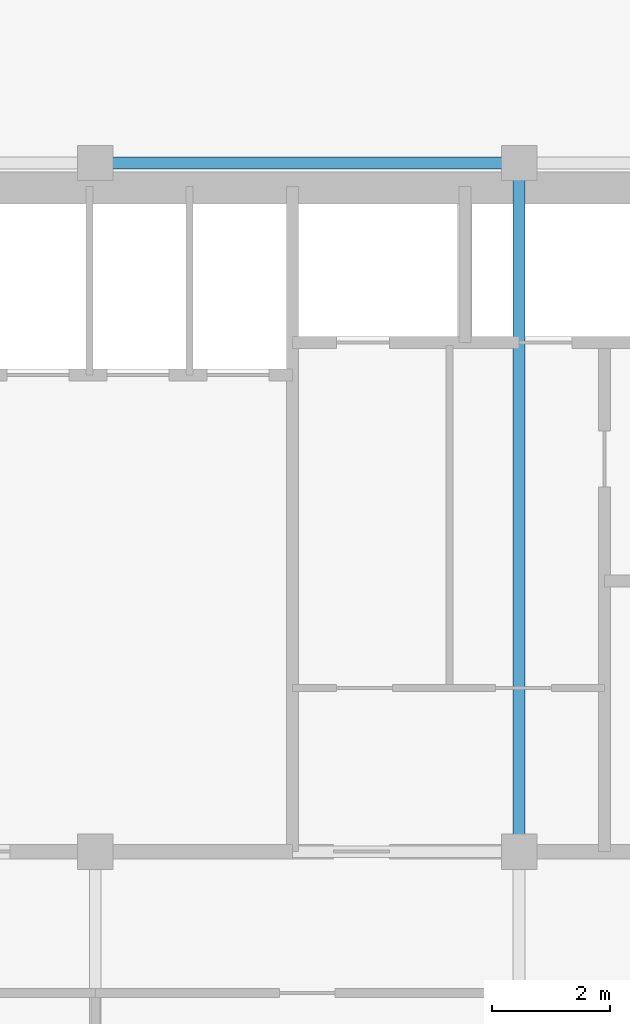
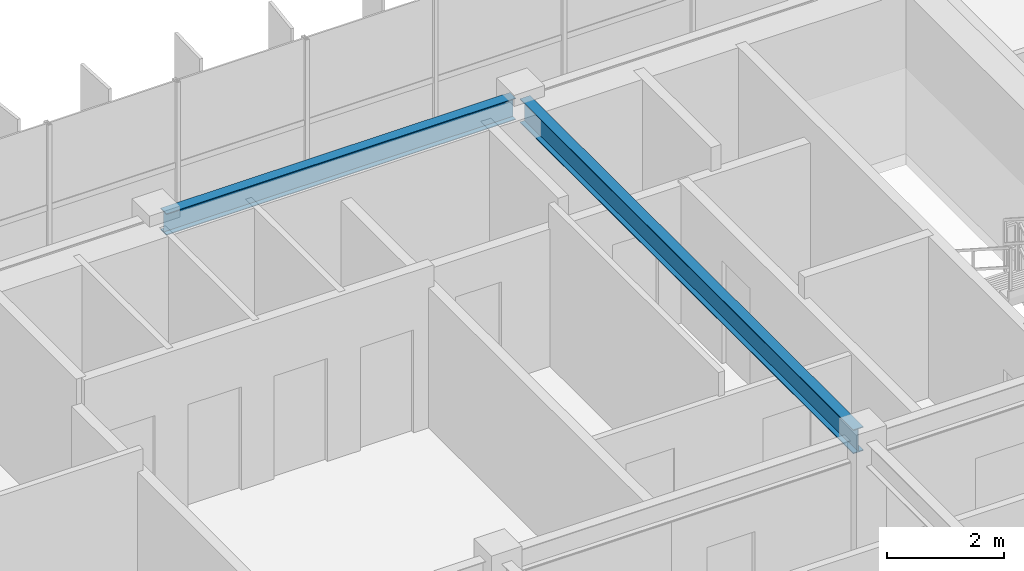
# One storey, part 10 of 22: 2 beams.
"""IFC4 building model written with IfcOpenShell, lengths in metres."""

from ifc_helpers import new_model, si_unit, direction, frame, origin, origin_2d, place, context, subcontext, project, spatial, i_section, extrude, source, transform, mapped, material, material_profile, profile_set, type_object, element, save


model = new_model("IFC4")

# Units and contexts
model_context = context("Model", 3, precision=1e-05, world=origin(), true_north=direction((0.0, 1.0)))
body_context = subcontext(model_context, "Body", "Model", "MODEL_VIEW")
ifc_project = project(units=[si_unit("LENGTHUNIT", "METRE"), si_unit("AREAUNIT", "SQUARE_METRE"), si_unit("VOLUMEUNIT", "CUBIC_METRE"), si_unit("PLANEANGLEUNIT", "RADIAN"), si_unit("MASSUNIT", "GRAM", prefix="KILO")], contexts=[model_context])

# Site, building, storey
site_placement = place(None, origin())
site = spatial("IfcSite", under=ifc_project, at=site_placement, CompositionType="ELEMENT")
building_placement = place(site_placement, origin())
building = spatial("IfcBuilding", under=site, at=building_placement, Name="Trelvane Seafront Commons", CompositionType="ELEMENT")
storey_placement = place(building_placement, frame((0.0, 0.0, 270.300048828125)))
storey = spatial("IfcBuildingStorey", under=building, at=storey_placement, Name="L70", CompositionType="ELEMENT", Elevation=270.300048828125)

# Beams
ifc_material = material(Name="Steel SM355 (S355)", Category="steel")
ifc_material_profile_1 = material_profile(ifc_material, i_section(OverallWidth=0.199951171875, OverallDepth=0.5, WebThickness=0.010009765625, FlangeThickness=0.01611328125, at=origin_2d()), Name="H-500x200x10x16")
ifc_profile_set_1 = profile_set([ifc_material_profile_1], Name="Steel SM355 (S355)")
beam_type_1 = type_object("IfcBeamType", Name="STR-BM-H500", PredefinedType="BEAM", material=ifc_profile_set_1)
shared_shape_1 = source(origin(), body_context, "Body", "SweptSolid", [
    extrude(i_section(OverallWidth=0.199951171875, OverallDepth=0.5, WebThickness=0.010009765625, FlangeThickness=0.01611328125, at=origin_2d()), origin(), (0.0, 0.0, 1.0), 11.39990234375),
])
beam_1_placement = place(storey_placement, frame((51.0, 33.550048828125, 3.119873046875), z_axis=(0.0, 1.0, 0.0), x_axis=(-1.0, 0.0, 0.0)))
element("IfcBeam", 1, at=beam_1_placement, inside=storey, type_object=beam_type_1, Name="L70 Primary Girder G-46", PredefinedType="BEAM", context=body_context, shape_type="MappedRepresentation", body=[
    mapped(shared_shape_1, transform((0.0, 0.0, 0.0), x_axis=(1.0, 0.0, 0.0), y_axis=(0.0, 1.0, 0.0), z_axis=(0.0, 0.0, 1.0), scale=1.0)),
])
ifc_material_profile_2 = material_profile(ifc_material, i_section(OverallWidth=0.199951171875, OverallDepth=0.449951171875, WebThickness=0.009033203125, FlangeThickness=0.013916015625, at=origin_2d()), Name="H-450x200x9x14")
ifc_profile_set_2 = profile_set([ifc_material_profile_2], Name="Steel SM355 (S355)")
beam_type_2 = type_object("IfcBeamType", Name="STR-SPD-H450", PredefinedType="SPANDREL", material=ifc_profile_set_2)
shared_shape_2 = source(origin(), body_context, "Body", "SweptSolid", [
    extrude(i_section(OverallWidth=0.199951171875, OverallDepth=0.449951171875, WebThickness=0.009033203125, FlangeThickness=0.013916015625, at=origin_2d()), origin(), (0.0, 0.0, 1.0), 6.900146484375),
])
beam_2_placement = place(storey_placement, frame((43.949951171875, 45.10009765625, 3.14501953125), z_axis=(1.0, 0.0, 0.0), x_axis=(0.0, 1.0, 0.0)))
element("IfcBeam", 2, at=beam_2_placement, inside=storey, type_object=beam_type_2, Name="L70 Primary Girder G-26", PredefinedType="SPANDREL", context=body_context, shape_type="MappedRepresentation", body=[
    mapped(shared_shape_2, transform((0.0, 0.0, 0.0), x_axis=(1.0, 0.0, 0.0), y_axis=(0.0, 1.0, 0.0), z_axis=(0.0, 0.0, 1.0), scale=1.0)),
])

save(model, "model.ifc")
